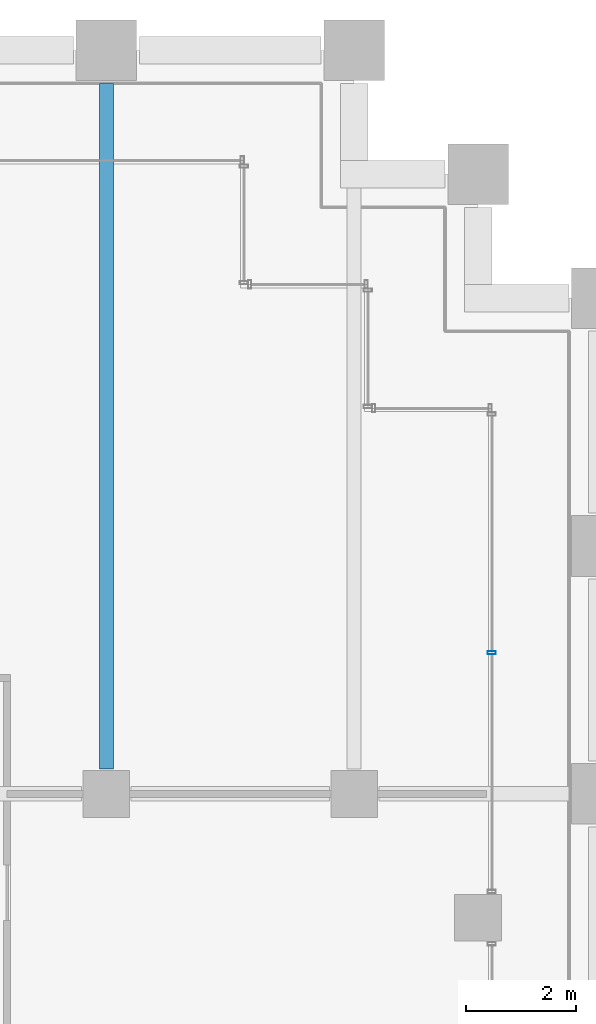
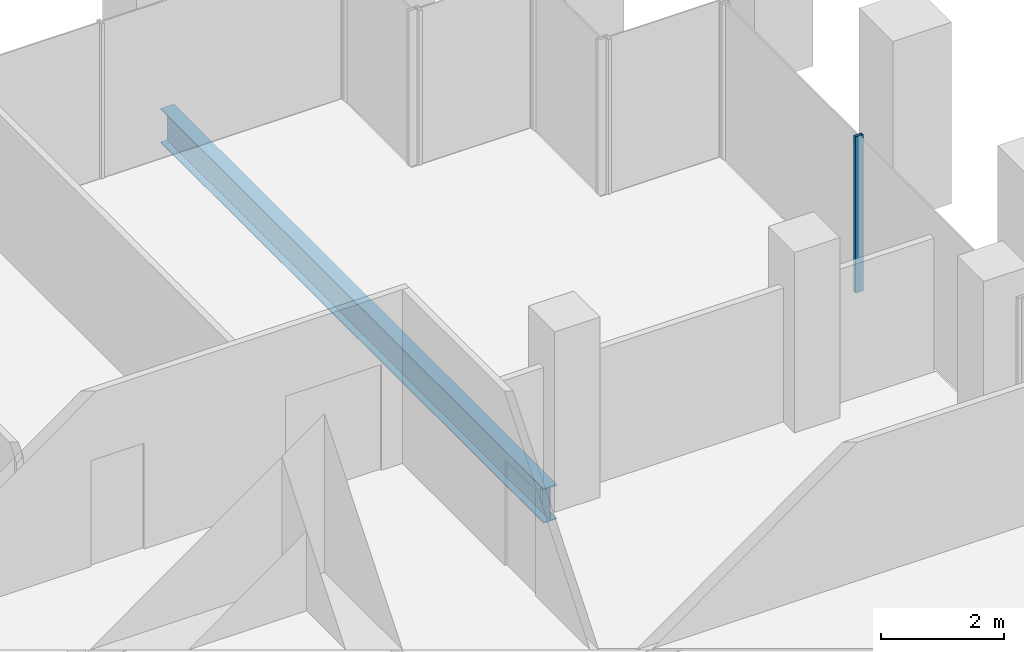
# One storey, part 30 of 55: 1 beam, 1 member, 1 element without a shape of its own.
"""IFC4 building model written with IfcOpenShell, lengths in metres."""

from ifc_helpers import new_model, si_unit, direction, frame, origin, origin_2d, place, context, subcontext, project, spatial, hollow_rectangle, i_section, extrude, material, material_profile, profile_set, type_object, element, aggregate, save


model = new_model("IFC4")

# Units and contexts
model_context = context("Model", 3, precision=1e-05, world=origin(), true_north=direction((0.0, 1.0)))
body_context = subcontext(model_context, "Body", "Model", "MODEL_VIEW")
ifc_project = project(units=[si_unit("LENGTHUNIT", "METRE"), si_unit("AREAUNIT", "SQUARE_METRE"), si_unit("VOLUMEUNIT", "CUBIC_METRE"), si_unit("PLANEANGLEUNIT", "RADIAN"), si_unit("MASSUNIT", "GRAM", prefix="KILO")], contexts=[model_context])

# Site, building, storey
site_placement = place(None, origin())
site = spatial("IfcSite", under=ifc_project, at=site_placement, CompositionType="ELEMENT")
building_placement = place(site_placement, origin())
building = spatial("IfcBuilding", under=site, at=building_placement, Name="Altepetl Exchange Towers", CompositionType="ELEMENT")
storey_placement = place(building_placement, frame((0.0, 0.0, 47.39990234375)))
storey = spatial("IfcBuildingStorey", under=building, at=storey_placement, Name="L10", CompositionType="ELEMENT", Elevation=47.39990234375)

# Beam
ifc_material_1 = material(Name="Steel S355", Category="steel")
ifc_material_profile_1 = material_profile(ifc_material_1, i_section(OverallWidth=0.25390625, OverallDepth=0.68408203125, WebThickness=0.012451171875, FlangeThickness=0.018798828125, at=origin_2d()), Name="W27X94")
ifc_profile_set_1 = profile_set([ifc_material_profile_1], Name="Steel S355")
beam_type = type_object("IfcBeamType", Name="Floor beam W27X94", PredefinedType="BEAM", material=ifc_profile_set_1)
beam_placement = place(storey_placement, frame((63.0, 58.949951171875, -0.491943359375), z_axis=(0.0, 1.0, 0.0), x_axis=(-1.0, 0.0, 0.0)))
element("IfcBeam", 1, at=beam_placement, inside=storey, type_object=beam_type, Name="bm:A:L10:004", PredefinedType="BEAM", context=body_context, shape_type="SweptSolid", body=[
    extrude(i_section(OverallWidth=0.25390625, OverallDepth=0.68408203125, WebThickness=0.012451171875, FlangeThickness=0.018798828125, at=origin_2d()), origin(), (0.0, 0.0, 1.0), 12.449951171875),
])

# Curtain wall, member
ifc_material_2 = material(Name="Aluminium 6063-T6 glazing", Category="aluminium")
curtain_wall_type = type_object("IfcCurtainWallType", Name="Loggia glazing system", PredefinedType="NOTDEFINED", material=ifc_material_2)
curtain_wall_placement = place(storey_placement, origin())
curtain_wall = element("IfcCurtainWall", 2, at=curtain_wall_placement, inside=storey, type_object=curtain_wall_type, Name="CW1 run", PredefinedType="NOTDEFINED")
ifc_material_3 = material(Name="Aluminium 6063-T6", Category="aluminium")
ifc_material_profile_2 = material_profile(ifc_material_3, hollow_rectangle(XDim=0.06005859375, YDim=0.14990234375, WallThickness=0.0029296875, at=origin_2d()), Name="Mullion 60x150 aluminium")
ifc_profile_set_2 = profile_set([ifc_material_profile_2], Name="Aluminium 6063-T6")
member_type = type_object("IfcMemberType", Name="Mullion 60x150 aluminium", PredefinedType="MULLION", material=ifc_profile_set_2)
member_placement = place(storey_placement, frame((70.0, 61.06005859375, 0.0), z_axis=(0.0, 0.0, 1.0), x_axis=(0.0, 1.0, 0.0)))
member = element("IfcMember", 3, at=member_placement, type_object=member_type, Name="MU1 mullion", PredefinedType="MULLION", context=body_context, shape_type="SweptSolid", body=[
    extrude(hollow_rectangle(XDim=0.06005859375, YDim=0.14990234375, WallThickness=0.0029296875, at=origin_2d()), origin(), (0.0, 0.0, 1.0), 3.10009765625),
])
aggregate(curtain_wall, [member])

save(model, "model.ifc")
